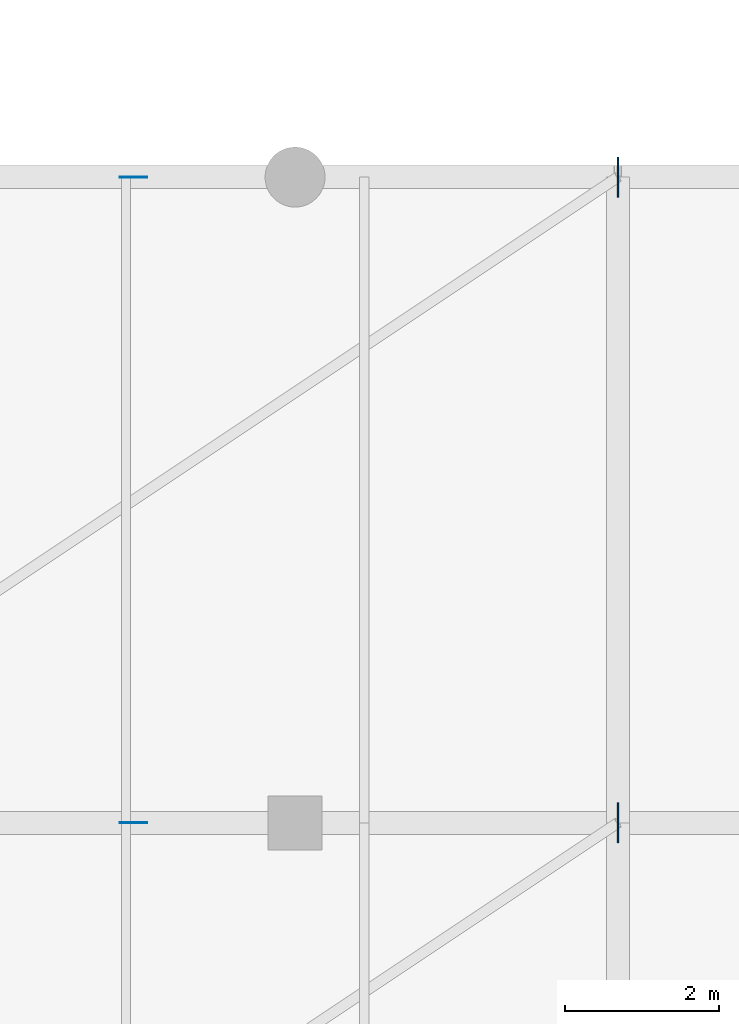
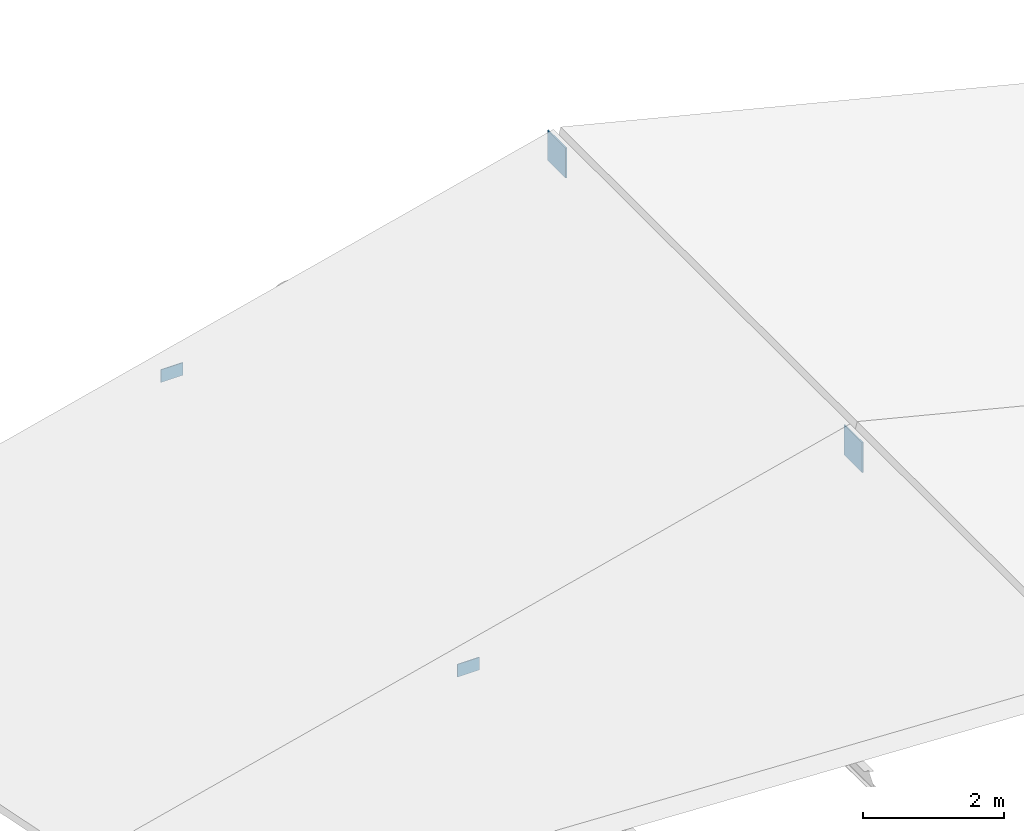
# One storey, part 78 of 95: 4 plates.
"""IFC4 building model written with IfcOpenShell, lengths in metres."""

from ifc_helpers import new_model, si_unit, direction, frame, origin, origin_2d, place, context, subcontext, project, spatial, rectangle, extrude, material, layer, layer_set, type_object, element, save


model = new_model("IFC4")

# Units and contexts
model_context = context("Model", 3, precision=1e-05, world=origin(), true_north=direction((0.0, 1.0)))
body_context = subcontext(model_context, "Body", "Model", "MODEL_VIEW")
ifc_project = project(units=[si_unit("LENGTHUNIT", "METRE"), si_unit("AREAUNIT", "SQUARE_METRE"), si_unit("VOLUMEUNIT", "CUBIC_METRE"), si_unit("PLANEANGLEUNIT", "RADIAN"), si_unit("MASSUNIT", "GRAM", prefix="KILO"), si_unit("THERMODYNAMICTEMPERATUREUNIT", "KELVIN"), si_unit("POWERUNIT", "WATT")], contexts=[model_context])

# Site, building, storey
site_placement = place(None, origin())
site = spatial("IfcSite", under=ifc_project, at=site_placement, CompositionType="ELEMENT")
building_placement = place(site_placement, origin())
building = spatial("IfcBuilding", under=site, at=building_placement, Name="Mavoryth Pier Ferry Terminal", CompositionType="ELEMENT")
storey_placement = place(building_placement, frame((0.0, 0.0, 9.60009765625)))
storey = spatial("IfcBuildingStorey", under=building, at=storey_placement, Name="L02", CompositionType="ELEMENT", Elevation=9.60009765625)

# Plates
ifc_material = material(Name="Steel S355J2", Category="steel")
ifc_layer_1 = layer(ifc_material, 0.02001953125, Name="Steel S355J2", Category="steel")
ifc_layer_set_1 = layer_set([ifc_layer_1], Name="Steel S355J2 - Plate-Gusset-520x520x20")
plate_type_1 = type_object("IfcPlateType", Name="Plate-Gusset-520x520x20", PredefinedType="SHEET", material=ifc_layer_set_1)
for number, where, z_axis, x_axis, name in (
    (1, (63.0, 97.60009765625, 2.835693359375), (0.0, 0.0, 1.0), (0.0, 1.0, 0.0), "Steel Node Plate PL-L02-0043"),
    (2, (63.0, 106.0, 2.835693359375), (0.0, 0.0, 1.0), (0.0, 1.0, 0.0), "Steel Node Plate PL-L02-0045"),
):
    element("IfcPlate", number, at=place(storey_placement, frame(where, z_axis=z_axis, x_axis=x_axis)), inside=storey, type_object=plate_type_1, Name=name, PredefinedType="SHEET", context=body_context, shape_type="SweptSolid", body=[
        extrude(rectangle(XDim=0.52001953125, YDim=0.02001953125, at=origin_2d()), origin(), (0.0, 0.0, 1.0), 0.52001953125),
    ])
ifc_layer_2 = layer(ifc_material, 0.011962890625, Name="Steel S355J2", Category="steel")
ifc_layer_set_2 = layer_set([ifc_layer_2], Name="Steel S355J2 - Plate-Stiffener-360x220x12")
plate_type_2 = type_object("IfcPlateType", Name="Plate-Stiffener-360x220x12", PredefinedType="USERDEFINED", material=ifc_layer_set_2)
for number, where, z_axis, x_axis, name in (
    (3, (56.699951171875, 97.60009765625, 1.4150390625), (0.0, 0.0, 1.0), (1.0, 0.0, 0.0), "Steel Node Plate PL-L02-0044"),
    (4, (56.699951171875, 106.0, 1.4150390625), (0.0, 0.0, 1.0), (1.0, 0.0, 0.0), "Steel Node Plate PL-L02-0046"),
):
    element("IfcPlate", number, at=place(storey_placement, frame(where, z_axis=z_axis, x_axis=x_axis)), inside=storey, type_object=plate_type_2, Name=name, ObjectType="STIFFENER PLATE", PredefinedType="USERDEFINED", context=body_context, shape_type="SweptSolid", body=[
        extrude(rectangle(XDim=0.360107421875, YDim=0.011962890625, at=origin_2d()), origin(), (0.0, 0.0, 1.0), 0.219970703125),
    ])

save(model, "model.ifc")
